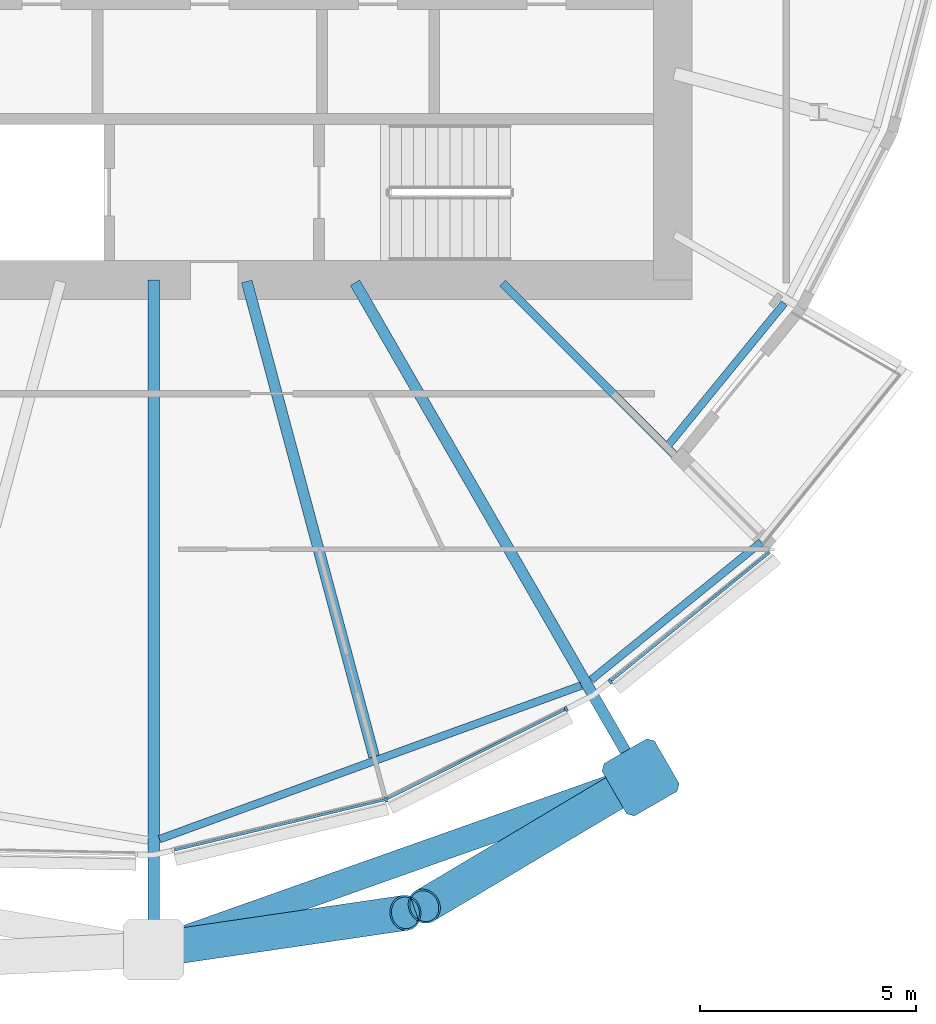
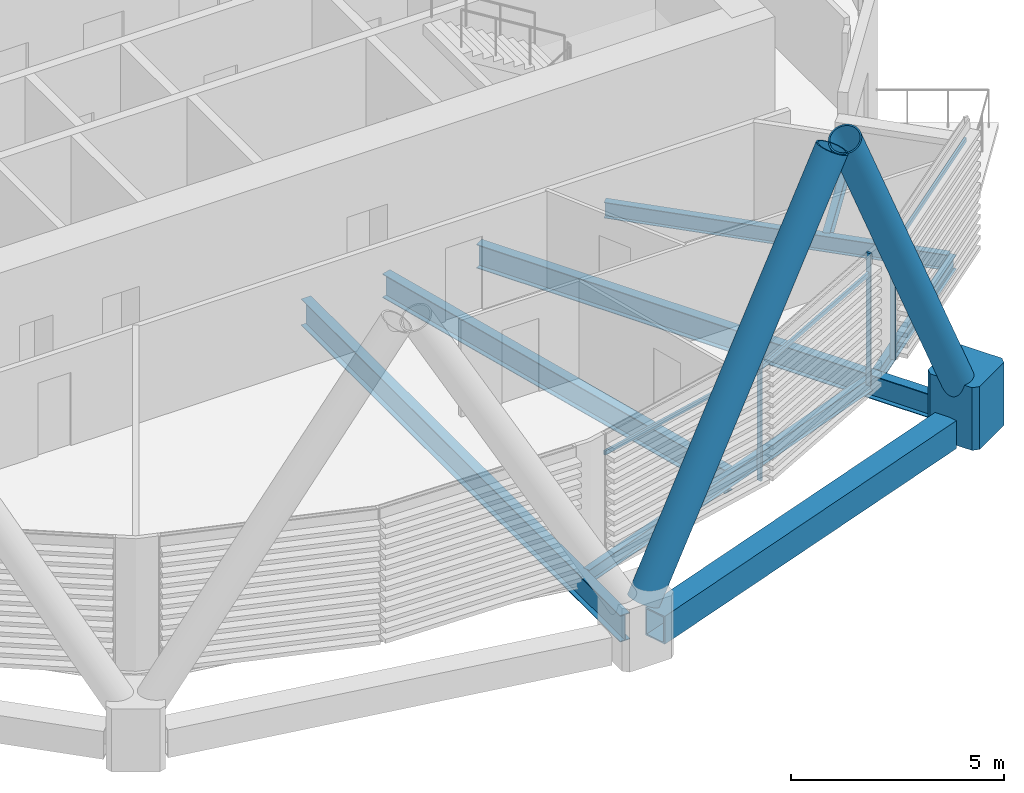
# One storey, part 15 of 34: 9 members, 8 beams, 1 element without a shape of its own.
"""IFC4 building model written with IfcOpenShell, lengths in metres."""

import ifcopenshell
import ifcopenshell.guid

model = None  # the IFC model being written
_history = None  # IfcOwnerHistory: only IFC2X3 demands one
_inside = {}  # id of a spatial element -> (the spatial element, [elements in it])
_under = {}  # id of a project, library or spatial element -> (it, [spatial elements below it])
_declared = {}  # id of a project -> (the project, [libraries it declares])
_typed = {}  # id of a type object -> (the type object, [elements of that type])
_made_of = {}  # id of a material, layer set ... -> (it, [elements and type objects made of it])


def new_model(schema):
    """Start an empty IFC model of exactly this schema.

    Asked for "IFC4X3", IfcOpenShell would pick the latest addendum, in which some entities
    have other attributes; the version numbers below select the first issue.
    IFC2X3 requires an IfcOwnerHistory on every rooted entity: one is made here for all.
    """
    global model, _history
    if schema == "IFC4X3":
        model = ifcopenshell.file(schema_version=(4, 3, 0, 0))
    else:
        model = ifcopenshell.file(schema=schema)
    _inside.clear()
    _under.clear()
    _declared.clear()
    _typed.clear()
    _made_of.clear()
    _history = None
    if model.schema == "IFC2X3":
        org = make("IfcOrganization", Name="unknown")
        user = make(
            "IfcPersonAndOrganization",
            ThePerson=make("IfcPerson", FamilyName="unknown"),
            TheOrganization=org,
        )
        app = make(
            "IfcApplication",
            ApplicationDeveloper=org,
            Version="unknown",
            ApplicationFullName="unknown",
            ApplicationIdentifier="unknown",
        )
        _history = make(
            "IfcOwnerHistory",
            OwningUser=user,
            OwningApplication=app,
            ChangeAction="ADDED",
            CreationDate=0,
        )
    return model


def make(cls, **values):
    """One entity of the class cls with the attributes given. An attribute that is None is left unset."""
    return model.create_entity(
        cls, **{name: value for name, value in values.items() if value is not None}
    )


def rooted(cls, **values):
    """An entity with a GlobalId (a new one), such as an element, a storey or a relation."""
    return make(cls, GlobalId=ifcopenshell.guid.new(), OwnerHistory=_history, **values)


def si_unit(unit_type, name, prefix=None):
    """IfcSIUnit, for example si_unit("LENGTHUNIT", "METRE", prefix="MILLI")."""
    return make("IfcSIUnit", UnitType=unit_type, Prefix=prefix, Name=name)


def assignment(units):
    """IfcUnitAssignment: the units of a project."""
    return None if units is None else make("IfcUnitAssignment", Units=units)


def point(xyz):
    """IfcCartesianPoint."""
    return None if xyz is None else make("IfcCartesianPoint", Coordinates=xyz)


def direction(xyz):
    """IfcDirection."""
    return None if xyz is None else make("IfcDirection", DirectionRatios=xyz)


def frame(location, z_axis=None, x_axis=None):
    """IfcAxis2Placement3D, a coordinate frame: its origin and axes. An axis left out is left unset."""
    return make(
        "IfcAxis2Placement3D",
        Location=point(location),
        Axis=direction(z_axis),
        RefDirection=direction(x_axis),
    )


def frame_2d(location, x_axis=None):
    """IfcAxis2Placement2D, a coordinate frame in the plane: its origin and x axis."""
    return make(
        "IfcAxis2Placement2D", Location=point(location), RefDirection=direction(x_axis)
    )


def origin():
    """The frame at (0, 0, 0) with its axes left unset."""
    return frame((0.0, 0.0, 0.0))


def origin_2d():
    """The frame at (0, 0) in the plane with its x axis left unset."""
    return frame_2d((0.0, 0.0))


def place(relative_to, where):
    """IfcLocalPlacement: puts the frame where relative to a parent placement (None: the world)."""
    return make(
        "IfcLocalPlacement", PlacementRelTo=relative_to, RelativePlacement=where
    )


def context(
    kind, dimensions, precision=None, world=None, true_north=None, identifier=None
):
    """IfcGeometricRepresentationContext, for example the 3D "Model" context."""
    return make(
        "IfcGeometricRepresentationContext",
        ContextIdentifier=identifier,
        ContextType=kind,
        CoordinateSpaceDimension=dimensions,
        Precision=precision,
        WorldCoordinateSystem=world,
        TrueNorth=true_north,
    )


def subcontext(parent, identifier, kind, view, scale=None):
    """IfcGeometricRepresentationSubContext, for example "Body" below "Model"."""
    return make(
        "IfcGeometricRepresentationSubContext",
        ContextIdentifier=identifier,
        ContextType=kind,
        ParentContext=parent,
        TargetScale=scale,
        TargetView=view,
    )


def project(units=None, contexts=None):
    """IfcProject with its units and contexts."""
    return rooted(
        "IfcProject",
        Name="project",
        RepresentationContexts=contexts,
        UnitsInContext=assignment(units),
    )


def spatial(cls, under=None, at=None, **own):
    """A site, building, storey or space (cls), placed at a placement, below another one or the project."""
    s = rooted(cls, ObjectPlacement=at, **own)
    if under is not None:
        _under.setdefault(under.id(), (under, []))[1].append(s)
    return s


def polyline(points):
    """IfcPolyline through the points."""
    return make("IfcPolyline", Points=[point(p) for p in points])


def profile(cls, at=None, kind="AREA", **sizes):
    """A parametric profile (cls). Its sizes go by their IFC names, for example OverallWidth=200.0."""
    return make(cls, ProfileType=kind, Position=at, **sizes)


def rectangle(**sizes):
    """IfcRectangleProfileDef."""
    return profile("IfcRectangleProfileDef", **sizes)


def hollow_rectangle(**sizes):
    """IfcRectangleHollowProfileDef."""
    return profile("IfcRectangleHollowProfileDef", **sizes)


def hollow_circle(**sizes):
    """IfcCircleHollowProfileDef."""
    return profile("IfcCircleHollowProfileDef", **sizes)


def i_section(**sizes):
    """IfcIShapeProfileDef."""
    return profile("IfcIShapeProfileDef", **sizes)


def outline(outer, holes=None, kind="AREA"):
    """IfcArbitraryClosedProfileDef: a profile drawn as a closed curve; with holes, ...WithVoids."""
    if holes is None:
        return make("IfcArbitraryClosedProfileDef", ProfileType=kind, OuterCurve=outer)
    return make(
        "IfcArbitraryProfileDefWithVoids",
        ProfileType=kind,
        OuterCurve=outer,
        InnerCurves=holes,
    )


def extrude(swept, where, along, depth):
    """IfcExtrudedAreaSolid: the profile swept, set in the frame where, extruded along a direction by depth."""
    return make(
        "IfcExtrudedAreaSolid",
        SweptArea=swept,
        Position=where,
        ExtrudedDirection=direction(along),
        Depth=depth,
    )


def shape(context_of_items, identifier, shape_type, items):
    """IfcShapeRepresentation: the items that make up one representation, for example the "Body"."""
    return make(
        "IfcShapeRepresentation",
        ContextOfItems=context_of_items,
        RepresentationIdentifier=identifier,
        RepresentationType=shape_type,
        Items=items,
    )


def material(Name=None, Category=None):
    """IfcMaterial."""
    return make("IfcMaterial", Name=Name, Category=Category)


def material_profile(
    of_material, cross_section, Name=None, Category=None, Priority=None
):
    """IfcMaterialProfile: a cross section and its material."""
    return make(
        "IfcMaterialProfile",
        Name=Name,
        Material=of_material,
        Profile=cross_section,
        Priority=Priority,
        Category=Category,
    )


def profile_set(profiles, Name=None, composite=None):
    """IfcMaterialProfileSet."""
    return make(
        "IfcMaterialProfileSet",
        Name=Name,
        MaterialProfiles=profiles,
        CompositeProfile=composite,
    )


def made_of(thing, what):
    """Note that an element or type object is made of a material, layer set ...; save() writes the relation."""
    if what is not None:
        _made_of.setdefault(what.id(), (what, []))[1].append(thing)
    return thing


def type_object(cls, material=None, **own):
    """A type object (cls), such as IfcWallType, which elements share."""
    return made_of(rooted(cls, **own), material)


def element(
    cls,
    number,
    at=None,
    inside=None,
    cuts=None,
    type_object=None,
    material=None,
    context=None,
    identifier="Body",
    shape_type=None,
    held_by="IfcProductDefinitionShape",
    body=None,
    shapes=None,
    **own,
):
    """One element of the class cls, such as IfcWall. Its Tag is "e" and its number.

    at: its placement. inside: the storey or other place that contains it. cuts: it is an
    opening in that element (IfcRelVoidsElement). A single representation is given by context,
    identifier, shape_type and body (its items); several are given by shapes. held_by: the class
    of the entity that holds the representations. save() writes the other relations.
    """
    e = rooted(cls, Tag="e%d" % number, ObjectPlacement=at, **own)
    if body is not None:
        shapes = [shape(context, identifier, shape_type, body)]
    if shapes is not None:
        e.Representation = make(held_by, Representations=shapes)
    if inside is not None:
        _inside.setdefault(inside.id(), (inside, []))[1].append(e)
    if cuts is not None:
        rooted(
            "IfcRelVoidsElement", RelatingBuildingElement=cuts, RelatedOpeningElement=e
        )
    if type_object is not None:
        _typed.setdefault(type_object.id(), (type_object, []))[1].append(e)
    return made_of(e, material)


def aggregate(whole, parts):
    """IfcRelAggregates: a whole, such as a stair, and the parts it consists of."""
    return rooted("IfcRelAggregates", RelatingObject=whole, RelatedObjects=parts)


def save(model, path):
    """Write the relations noted so far, then the file.

    IfcRelAggregates (storeys below a building ...), IfcRelContainedInSpatialStructure (elements
    in a storey), IfcRelDefinesByType, IfcRelAssociatesMaterial and IfcRelDeclares: one each for
    every whole, place, type object, material and project.
    """
    for whole, parts in _under.values():
        aggregate(whole, parts)
    for where, things in _inside.values():
        rooted(
            "IfcRelContainedInSpatialStructure",
            RelatedElements=things,
            RelatingStructure=where,
        )
    for kind, things in _typed.values():
        rooted("IfcRelDefinesByType", RelatedObjects=things, RelatingType=kind)
    for what, things in _made_of.values():
        rooted("IfcRelAssociatesMaterial", RelatedObjects=things, RelatingMaterial=what)
    for by, libraries in _declared.values():
        rooted("IfcRelDeclares", RelatingContext=by, RelatedDefinitions=libraries)
    model.write(path)


model = new_model("IFC4")

# Units and contexts
model_context = context("Model", 3, precision=1e-05, world=origin(), true_north=direction((0.0, 1.0)))
body_context = subcontext(model_context, "Body", "Model", "MODEL_VIEW")
ifc_project = project(units=[si_unit("LENGTHUNIT", "METRE"), si_unit("AREAUNIT", "SQUARE_METRE"), si_unit("VOLUMEUNIT", "CUBIC_METRE"), si_unit("PLANEANGLEUNIT", "RADIAN"), si_unit("MASSUNIT", "GRAM", prefix="KILO")], contexts=[model_context])

# Site, building, storey
site_placement = place(None, origin())
site = spatial("IfcSite", under=ifc_project, at=site_placement, CompositionType="ELEMENT")
building_placement = place(site_placement, origin())
building = spatial("IfcBuilding", under=site, at=building_placement, Name="Rimbun Link Towers", CompositionType="ELEMENT")
storey_placement = place(building_placement, frame((0.0, 0.0, 41.39990234375)))
storey = spatial("IfcBuildingStorey", under=building, at=storey_placement, Name="L09", CompositionType="ELEMENT", Elevation=41.39990234375)

# Curtain wall, members
ifc_material_1 = material(Name="Aluminium 6063-T6 and low-iron glass", Category="aluminium")
curtain_wall_type = type_object("IfcCurtainWallType", Name="CW1 unitised vision wall", PredefinedType="NOTDEFINED", material=ifc_material_1)
curtain_wall_placement = place(storey_placement, origin())
curtain_wall = element("IfcCurtainWall", 1, at=curtain_wall_placement, inside=storey, type_object=curtain_wall_type, Name="CW1 L09 T2", PredefinedType="NOTDEFINED")
ifc_material_2 = material(Name="Aluminium 6063-T6", Category="aluminium")
ifc_material_profile_1 = material_profile(ifc_material_2, rectangle(XDim=0.1201171875, YDim=0.06005859375, at=origin_2d()), Name="MULLION 60X120")
ifc_profile_set_1 = profile_set([ifc_material_profile_1], Name="Aluminium 6063-T6")
member_type_1 = type_object("IfcMemberType", Name="CW1 mullion 60X120", PredefinedType="MULLION", material=ifc_profile_set_1)
member_1_placement = place(storey_placement, frame((37.116943359375, -20.009521484375, 0.0), z_axis=(0.0, 0.0, 1.0), x_axis=(0.342965819961, -0.939347883555, 0.0)))
member_1 = element("IfcMember", 2, at=member_1_placement, type_object=member_type_1, Name="CW1 mullion", PredefinedType="MULLION", context=body_context, shape_type="SweptSolid", body=[
    extrude(rectangle(XDim=0.1201171875, YDim=0.06005859375, at=origin_2d()), origin(), (0.0, 0.0, 1.0), 3.800048828125),
])
member_2_placement = place(storey_placement, frame((41.28369140625, -17.91748046875, 0.0), z_axis=(0.0, 0.0, 1.0), x_axis=(0.448766443776, -0.893649080423, 0.0)))
member_2 = element("IfcMember", 3, at=member_2_placement, type_object=member_type_1, Name="CW1 mullion", PredefinedType="MULLION", context=body_context, shape_type="SweptSolid", body=[
    extrude(rectangle(XDim=0.1201171875, YDim=0.06005859375, at=origin_2d()), origin(), (0.0, 0.0, 1.0), 3.800048828125),
])
member_3_placement = place(storey_placement, frame((42.308837890625, -17.28173828125, 0.0), z_axis=(0.0, 0.0, 1.0), x_axis=(0.629154590729, -0.777280194631, 0.0)))
member_3 = element("IfcMember", 4, at=member_3_placement, type_object=member_type_1, Name="CW1 mullion", PredefinedType="MULLION", context=body_context, shape_type="SweptSolid", body=[
    extrude(rectangle(XDim=0.1201171875, YDim=0.06005859375, at=origin_2d()), origin(), (0.0, 0.0, 1.0), 3.800048828125),
])
ifc_material_3 = material(Name="Aluminium 6063-T6", Category="aluminium")
ifc_material_profile_2 = material_profile(ifc_material_3, rectangle(XDim=0.06005859375, YDim=0.1201171875, at=origin_2d()), Name="TRANSOM 60X120")
ifc_profile_set_2 = profile_set([ifc_material_profile_2], Name="Aluminium 6063-T6")
member_type_2 = type_object("IfcMemberType", Name="CW1 transom 60X120", PredefinedType="USERDEFINED", material=ifc_profile_set_2)
member_4_placement = place(storey_placement, frame((37.080810546875, -20.0166015625, 3.2001953125), z_axis=(-0.972568299442, -0.23261750347, 0.0), x_axis=(0.23261750347, -0.972568299442, 0.0)))
member_4 = element("IfcMember", 5, at=member_4_placement, type_object=member_type_2, Name="CW1 transom", ObjectType="TRANSOM", PredefinedType="USERDEFINED", context=body_context, shape_type="SweptSolid", body=[
    extrude(rectangle(XDim=0.06005859375, YDim=0.1201171875, at=origin_2d()), origin(), (0.0, 0.0, 1.0), 4.9873046875),
])
member_5_placement = place(storey_placement, frame((41.256103515625, -17.92919921875, 3.2001953125), z_axis=(-0.893660889148, -0.448742927751, 0.0), x_axis=(0.448742927751, -0.893660889148, 0.0)))
member_5 = element("IfcMember", 6, at=member_5_placement, type_object=member_type_2, Name="CW1 transom", ObjectType="TRANSOM", PredefinedType="USERDEFINED", context=body_context, shape_type="SweptSolid", body=[
    extrude(rectangle(XDim=0.06005859375, YDim=0.1201171875, at=origin_2d()), origin(), (0.0, 0.0, 1.0), 4.595703125),
])
member_6_placement = place(storey_placement, frame((45.994873046875, -14.295654296875, 3.2001953125), z_axis=(-0.777278640128, -0.629156511212, 0.0), x_axis=(0.629156511212, -0.777278640128, 0.0)))
member_6 = element("IfcMember", 7, at=member_6_placement, type_object=member_type_2, Name="CW1 transom", ObjectType="TRANSOM", PredefinedType="USERDEFINED", context=body_context, shape_type="SweptSolid", body=[
    extrude(rectangle(XDim=0.06005859375, YDim=0.1201171875, at=origin_2d()), origin(), (0.0, 0.0, 1.0), 4.7138671875),
])
aggregate(curtain_wall, [member_1, member_2, member_3, member_4, member_5, member_6])

# Members
ifc_material_4 = material(Name="Steel S460NH", Category="steel")
ifc_material_profile_3 = material_profile(ifc_material_4, hollow_circle(Radius=0.406494140625, WallThickness=0.0400390625, at=origin_2d()), Name="Diagrid diagonal CHS 813x40")
ifc_profile_set_3 = profile_set([ifc_material_profile_3], Name="Steel S460NH")
member_type_3 = type_object("IfcMemberType", Name="Diagrid diagonal CHS 813x40", PredefinedType="BRACE", material=ifc_profile_set_3)
member_7_placement = place(storey_placement, frame((31.98388671875, -23.447509765625, 0.440673828125), z_axis=(0.467941502271, 0.06854907419, 0.881096915714), x_axis=(-0.144943734876, 0.989439898994, 0.0)))
element("IfcMember", 8, at=member_7_placement, inside=storey, type_object=member_type_3, Name="Diagrid diagonal T2 L09-L12 15b", PredefinedType="BRACE", context=body_context, shape_type="SweptSolid", body=[
    extrude(hollow_circle(Radius=0.406494140625, WallThickness=0.0400390625, at=origin_2d()), origin(), (0.0, 0.0, 1.0), 11.938232421875),
])
member_8_placement = place(storey_placement, frame((42.805908203125, -19.6181640625, 0.441650390625), z_axis=(-0.403085764575, -0.239911989067, 0.883155764233), x_axis=(0.511452355686, -0.859311636057, 0.0)))
element("IfcMember", 9, at=member_8_placement, inside=storey, type_object=member_type_3, Name="Diagrid diagonal T2 L09-L12 17a", PredefinedType="BRACE", context=body_context, shape_type="SweptSolid", body=[
    extrude(hollow_circle(Radius=0.406494140625, WallThickness=0.0400390625, at=origin_2d()), origin(), (0.0, 0.0, 1.0), 11.908203125),
])
ifc_material_5 = material(Name="Cast steel G20Mn5+QT, Rp0.2 300 MPa", Category="steel")
ifc_material_profile_4 = material_profile(ifc_material_5, outline(polyline([(0.699951171875, -0.570068359375), (0.699951171875, 0.570068359375), (0.570068359375, 0.699951171875), (-0.570068359375, 0.699951171875), (-0.699951171875, 0.570068359375), (-0.699951171875, -0.570068359375), (-0.570068359375, -0.699951171875), (0.570068359375, -0.699951171875), (0.699951171875, -0.570068359375)])), Name="NODE 1400x1400")
ifc_profile_set_4 = profile_set([ifc_material_profile_4], Name="Cast steel G20Mn5+QT, Rp0.2 300 MPa")
member_type_4 = type_object("IfcMemberType", Name="Diagrid node cast 1400", PredefinedType="USERDEFINED", material=ifc_profile_set_4)
member_9_placement = place(storey_placement, frame((43.00732421875, -19.498291015625, -0.89990234375), z_axis=(0.0, 0.0, 1.0), x_axis=(0.5, -0.866025403784, 0.0)))
element("IfcMember", 10, at=member_9_placement, inside=storey, type_object=member_type_4, Name="Diagrid node L09 17", ObjectType="Diagrid node", PredefinedType="USERDEFINED", context=body_context, shape_type="SweptSolid", body=[
    extrude(outline(polyline([(0.699951171875, -0.570068359375), (0.699951171875, 0.570068359375), (0.570068359375, 0.699951171875), (-0.570068359375, 0.699951171875), (-0.699951171875, 0.570068359375), (-0.699951171875, -0.570068359375), (-0.570068359375, -0.699951171875), (0.570068359375, -0.699951171875), (0.699951171875, -0.570068359375)])), origin(), (0.0, 0.0, 1.0), 1.800048828125),
])

# Beams
ifc_material_6 = material(Name="Steel S355J2", Category="steel")
ifc_material_profile_5 = material_profile(ifc_material_6, hollow_rectangle(XDim=0.60009765625, YDim=0.800048828125, WallThickness=0.0400390625, at=origin_2d()), Name="Exoskeleton ring girder BOX 600x800x40")
ifc_profile_set_5 = profile_set([ifc_material_profile_5], Name="Steel S355J2")
beam_type_1 = type_object("IfcBeamType", Name="Exoskeleton ring girder BOX 600x800x40", PredefinedType="BEAM", material=ifc_profile_set_5)
beam_1_placement = place(storey_placement, frame((32.409912109375, -23.248291015625, -0.559814453125), z_axis=(0.942714653334, 0.333600183437, 0.0), x_axis=(-0.333600183437, 0.942714653334, 0.0)))
element("IfcBeam", 11, at=beam_1_placement, inside=storey, type_object=beam_type_1, Name="Exoskeleton ring girder L09 07", PredefinedType="BEAM", context=body_context, shape_type="SweptSolid", body=[
    extrude(hollow_rectangle(XDim=0.60009765625, YDim=0.800048828125, WallThickness=0.0400390625, at=origin_2d()), origin(), (0.0, 0.0, 1.0), 10.541259765625),
])
ifc_material_7 = material(Name="Steel S355J2", Category="steel")
ifc_material_profile_6 = material_profile(ifc_material_7, i_section(OverallWidth=0.177978515625, OverallDepth=0.406494140625, WebThickness=0.0078125, FlangeThickness=0.0126953125, at=origin_2d()), Name="UB 406x178x60")
ifc_profile_set_6 = profile_set([ifc_material_profile_6], Name="Steel S355J2")
beam_type_2 = type_object("IfcBeamType", Name="UB 406x178x60", PredefinedType="BEAM", material=ifc_profile_set_6)
beam_2_placement = place(storey_placement, frame((31.88427734375, -20.92578125, -0.363037109375), z_axis=(0.939622933255, 0.342211547585, 0.0), x_axis=(-0.342211547585, 0.939622933255, 0.0)))
element("IfcBeam", 12, at=beam_2_placement, inside=storey, type_object=beam_type_2, Name="Edge beam T2 L09 15-17", PredefinedType="BEAM", context=body_context, shape_type="SweptSolid", body=[
    extrude(i_section(OverallWidth=0.177978515625, OverallDepth=0.406494140625, WebThickness=0.0078125, FlangeThickness=0.0126953125, at=origin_2d()), origin(), (0.0, 0.0, 1.0), 10.3759765625),
])
beam_3_placement = place(storey_placement, frame((41.867431640625, -17.240234375, -0.363037109375), z_axis=(0.77729324067, 0.629138472841, 0.0), x_axis=(-0.629138472841, 0.77729324067, 0.0)))
element("IfcBeam", 13, at=beam_3_placement, inside=storey, type_object=beam_type_2, Name="Edge beam T2 L09 17", PredefinedType="BEAM", context=body_context, shape_type="SweptSolid", body=[
    extrude(i_section(OverallWidth=0.177978515625, OverallDepth=0.406494140625, WebThickness=0.0078125, FlangeThickness=0.0126953125, at=origin_2d()), origin(), (0.0, 0.0, 1.0), 5.053955078125),
])
beam_4_placement = place(storey_placement, frame((43.640380859375, -11.8271484375, -0.363037109375), z_axis=(0.632818364367, 0.774300276197, 0.0), x_axis=(-0.774300276197, 0.632818364367, 0.0)))
element("IfcBeam", 14, at=beam_4_placement, inside=storey, type_object=beam_type_2, Name="Edge beam T2 L09 18 recess", PredefinedType="BEAM", context=body_context, shape_type="SweptSolid", body=[
    extrude(i_section(OverallWidth=0.177978515625, OverallDepth=0.406494140625, WebThickness=0.0078125, FlangeThickness=0.0126953125, at=origin_2d()), origin(), (0.0, 0.0, 1.0), 4.24853515625),
])
ifc_material_8 = material(Name="Steel S355J2", Category="steel")
ifc_material_profile_7 = material_profile(ifc_material_8, i_section(OverallWidth=0.18994140625, OverallDepth=0.453369140625, WebThickness=0.008544921875, FlangeThickness=0.0126953125, at=origin_2d()), Name="UB 457x191x67")
ifc_profile_set_7 = profile_set([ifc_material_profile_7], Name="Steel S355J2")
beam_type_3 = type_object("IfcBeamType", Name="UB 457x191x67", PredefinedType="BEAM", material=ifc_profile_set_7)
beam_5_placement = place(storey_placement, frame((39.81787109375, -8.06787109375, -0.38671875), z_axis=(0.707106781187, -0.707106781187, 0.0), x_axis=(0.707106781187, 0.707106781187, 0.0)))
element("IfcBeam", 15, at=beam_5_placement, inside=storey, type_object=beam_type_3, Name="Radial beam T2 L09 18", PredefinedType="BEAM", context=body_context, shape_type="SweptSolid", body=[
    extrude(i_section(OverallWidth=0.18994140625, OverallDepth=0.453369140625, WebThickness=0.008544921875, FlangeThickness=0.0126953125, at=origin_2d()), origin(), (0.0, 0.0, 1.0), 8.37548828125),
])
ifc_material_9 = material(Name="Steel S355J2", Category="steel")
ifc_material_profile_8 = material_profile(ifc_material_9, i_section(OverallWidth=0.253662109375, OverallDepth=0.68359375, WebThickness=0.012451171875, FlangeThickness=0.01904296875, at=origin_2d()), Name="UB 686x254x140")
ifc_profile_set_8 = profile_set([ifc_material_profile_8], Name="Steel S355J2")
beam_type_4 = type_object("IfcBeamType", Name="UB 686x254x140", PredefinedType="BEAM", material=ifc_profile_set_8)
beam_6_placement = place(storey_placement, frame((33.902587890625, -8.03369140625, -0.501708984375), z_axis=(0.25882583061, -0.965924008092, 0.0), x_axis=(0.965924008092, 0.25882583061, 0.0)))
element("IfcBeam", 16, at=beam_6_placement, inside=storey, type_object=beam_type_4, Name="Radial beam T2 L09 16", PredefinedType="BEAM", context=body_context, shape_type="SweptSolid", body=[
    extrude(i_section(OverallWidth=0.253662109375, OverallDepth=0.68359375, WebThickness=0.012451171875, FlangeThickness=0.01904296875, at=origin_2d()), origin(), (0.0, 0.0, 1.0), 11.376708984375),
])
beam_7_placement = place(storey_placement, frame((36.406005859375, -8.064208984375, -0.501708984375), z_axis=(0.499994189038, -0.866028758719, 0.0), x_axis=(0.866028758719, 0.499994189038, 0.0)))
element("IfcBeam", 17, at=beam_7_placement, inside=storey, type_object=beam_type_4, Name="Radial beam T2 L09 17", PredefinedType="BEAM", context=body_context, shape_type="SweptSolid", body=[
    extrude(i_section(OverallWidth=0.253662109375, OverallDepth=0.68359375, WebThickness=0.012451171875, FlangeThickness=0.01904296875, at=origin_2d()), origin(), (0.0, 0.0, 1.0), 12.702880859375),
])
ifc_material_10 = material(Name="Steel S355J2", Category="steel")
ifc_material_profile_9 = material_profile(ifc_material_10, i_section(OverallWidth=0.2666015625, OverallDepth=0.76220703125, WebThickness=0.014404296875, FlangeThickness=0.021484375, at=origin_2d()), Name="UB 762x267x173")
ifc_profile_set_9 = profile_set([ifc_material_profile_9], Name="Steel S355J2")
beam_type_5 = type_object("IfcBeamType", Name="UB 762x267x173", PredefinedType="BEAM", material=ifc_profile_set_9)
beam_8_placement = place(storey_placement, frame((31.75, -8.0009765625, -0.541015625), z_axis=(0.0, -1.0, 0.0), x_axis=(1.0, 0.0, 0.0)))
element("IfcBeam", 18, at=beam_8_placement, inside=storey, type_object=beam_type_5, Name="Radial beam T2 L09 15", PredefinedType="BEAM", context=body_context, shape_type="SweptSolid", body=[
    extrude(i_section(OverallWidth=0.2666015625, OverallDepth=0.76220703125, WebThickness=0.014404296875, FlangeThickness=0.021484375, at=origin_2d()), origin(), (0.0, 0.0, 1.0), 14.98095703125),
])

save(model, "model.ifc")
